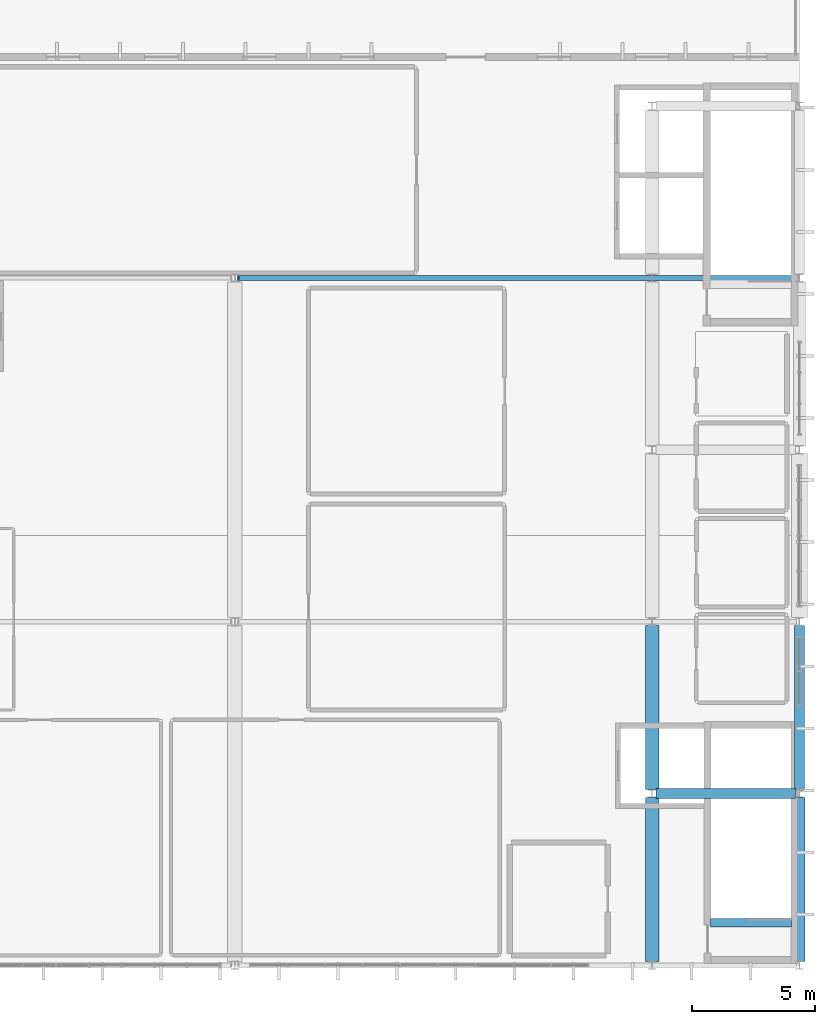
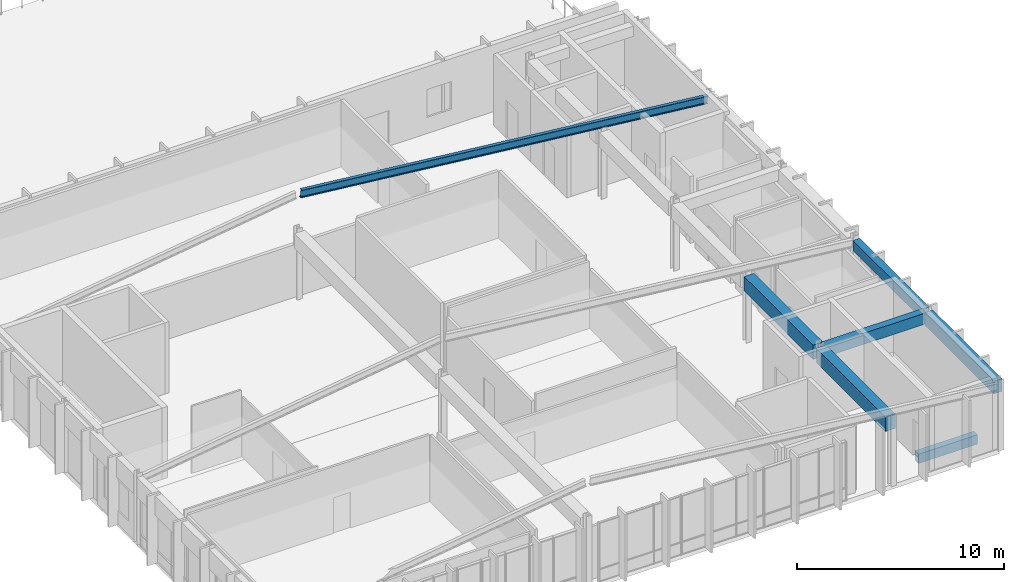
# One storey, part 8 of 16: 7 beams.
"""IFC4 building model written with IfcOpenShell, lengths in metres."""

import ifcopenshell
import ifcopenshell.guid

model = None  # the IFC model being written
_history = None  # IfcOwnerHistory: only IFC2X3 demands one
_inside = {}  # id of a spatial element -> (the spatial element, [elements in it])
_under = {}  # id of a project, library or spatial element -> (it, [spatial elements below it])
_declared = {}  # id of a project -> (the project, [libraries it declares])
_typed = {}  # id of a type object -> (the type object, [elements of that type])
_made_of = {}  # id of a material, layer set ... -> (it, [elements and type objects made of it])


def new_model(schema):
    """Start an empty IFC model of exactly this schema.

    Asked for "IFC4X3", IfcOpenShell would pick the latest addendum, in which some entities
    have other attributes; the version numbers below select the first issue.
    IFC2X3 requires an IfcOwnerHistory on every rooted entity: one is made here for all.
    """
    global model, _history
    if schema == "IFC4X3":
        model = ifcopenshell.file(schema_version=(4, 3, 0, 0))
    else:
        model = ifcopenshell.file(schema=schema)
    _inside.clear()
    _under.clear()
    _declared.clear()
    _typed.clear()
    _made_of.clear()
    _history = None
    if model.schema == "IFC2X3":
        org = make("IfcOrganization", Name="unknown")
        user = make(
            "IfcPersonAndOrganization",
            ThePerson=make("IfcPerson", FamilyName="unknown"),
            TheOrganization=org,
        )
        app = make(
            "IfcApplication",
            ApplicationDeveloper=org,
            Version="unknown",
            ApplicationFullName="unknown",
            ApplicationIdentifier="unknown",
        )
        _history = make(
            "IfcOwnerHistory",
            OwningUser=user,
            OwningApplication=app,
            ChangeAction="ADDED",
            CreationDate=0,
        )
    return model


def make(cls, **values):
    """One entity of the class cls with the attributes given. An attribute that is None is left unset."""
    return model.create_entity(
        cls, **{name: value for name, value in values.items() if value is not None}
    )


def rooted(cls, **values):
    """An entity with a GlobalId (a new one), such as an element, a storey or a relation."""
    return make(cls, GlobalId=ifcopenshell.guid.new(), OwnerHistory=_history, **values)


def si_unit(unit_type, name, prefix=None):
    """IfcSIUnit, for example si_unit("LENGTHUNIT", "METRE", prefix="MILLI")."""
    return make("IfcSIUnit", UnitType=unit_type, Prefix=prefix, Name=name)


def assignment(units):
    """IfcUnitAssignment: the units of a project."""
    return None if units is None else make("IfcUnitAssignment", Units=units)


def point(xyz):
    """IfcCartesianPoint."""
    return None if xyz is None else make("IfcCartesianPoint", Coordinates=xyz)


def direction(xyz):
    """IfcDirection."""
    return None if xyz is None else make("IfcDirection", DirectionRatios=xyz)


def frame(location, z_axis=None, x_axis=None):
    """IfcAxis2Placement3D, a coordinate frame: its origin and axes. An axis left out is left unset."""
    return make(
        "IfcAxis2Placement3D",
        Location=point(location),
        Axis=direction(z_axis),
        RefDirection=direction(x_axis),
    )


def frame_2d(location, x_axis=None):
    """IfcAxis2Placement2D, a coordinate frame in the plane: its origin and x axis."""
    return make(
        "IfcAxis2Placement2D", Location=point(location), RefDirection=direction(x_axis)
    )


def origin():
    """The frame at (0, 0, 0) with its axes left unset."""
    return frame((0.0, 0.0, 0.0))


def origin_2d():
    """The frame at (0, 0) in the plane with its x axis left unset."""
    return frame_2d((0.0, 0.0))


def place(relative_to, where):
    """IfcLocalPlacement: puts the frame where relative to a parent placement (None: the world)."""
    return make(
        "IfcLocalPlacement", PlacementRelTo=relative_to, RelativePlacement=where
    )


def context(
    kind, dimensions, precision=None, world=None, true_north=None, identifier=None
):
    """IfcGeometricRepresentationContext, for example the 3D "Model" context."""
    return make(
        "IfcGeometricRepresentationContext",
        ContextIdentifier=identifier,
        ContextType=kind,
        CoordinateSpaceDimension=dimensions,
        Precision=precision,
        WorldCoordinateSystem=world,
        TrueNorth=true_north,
    )


def subcontext(parent, identifier, kind, view, scale=None):
    """IfcGeometricRepresentationSubContext, for example "Body" below "Model"."""
    return make(
        "IfcGeometricRepresentationSubContext",
        ContextIdentifier=identifier,
        ContextType=kind,
        ParentContext=parent,
        TargetScale=scale,
        TargetView=view,
    )


def project(units=None, contexts=None):
    """IfcProject with its units and contexts."""
    return rooted(
        "IfcProject",
        Name="project",
        RepresentationContexts=contexts,
        UnitsInContext=assignment(units),
    )


def spatial(cls, under=None, at=None, **own):
    """A site, building, storey or space (cls), placed at a placement, below another one or the project."""
    s = rooted(cls, ObjectPlacement=at, **own)
    if under is not None:
        _under.setdefault(under.id(), (under, []))[1].append(s)
    return s


def profile(cls, at=None, kind="AREA", **sizes):
    """A parametric profile (cls). Its sizes go by their IFC names, for example OverallWidth=200.0."""
    return make(cls, ProfileType=kind, Position=at, **sizes)


def rectangle(**sizes):
    """IfcRectangleProfileDef."""
    return profile("IfcRectangleProfileDef", **sizes)


def i_section(**sizes):
    """IfcIShapeProfileDef."""
    return profile("IfcIShapeProfileDef", **sizes)


def extrude(swept, where, along, depth):
    """IfcExtrudedAreaSolid: the profile swept, set in the frame where, extruded along a direction by depth."""
    return make(
        "IfcExtrudedAreaSolid",
        SweptArea=swept,
        Position=where,
        ExtrudedDirection=direction(along),
        Depth=depth,
    )


def shape(context_of_items, identifier, shape_type, items):
    """IfcShapeRepresentation: the items that make up one representation, for example the "Body"."""
    return make(
        "IfcShapeRepresentation",
        ContextOfItems=context_of_items,
        RepresentationIdentifier=identifier,
        RepresentationType=shape_type,
        Items=items,
    )


def material(Name=None, Category=None):
    """IfcMaterial."""
    return make("IfcMaterial", Name=Name, Category=Category)


def material_profile(
    of_material, cross_section, Name=None, Category=None, Priority=None
):
    """IfcMaterialProfile: a cross section and its material."""
    return make(
        "IfcMaterialProfile",
        Name=Name,
        Material=of_material,
        Profile=cross_section,
        Priority=Priority,
        Category=Category,
    )


def profile_set(profiles, Name=None, composite=None):
    """IfcMaterialProfileSet."""
    return make(
        "IfcMaterialProfileSet",
        Name=Name,
        MaterialProfiles=profiles,
        CompositeProfile=composite,
    )


def made_of(thing, what):
    """Note that an element or type object is made of a material, layer set ...; save() writes the relation."""
    if what is not None:
        _made_of.setdefault(what.id(), (what, []))[1].append(thing)
    return thing


def type_object(cls, material=None, **own):
    """A type object (cls), such as IfcWallType, which elements share."""
    return made_of(rooted(cls, **own), material)


def element(
    cls,
    number,
    at=None,
    inside=None,
    cuts=None,
    type_object=None,
    material=None,
    context=None,
    identifier="Body",
    shape_type=None,
    held_by="IfcProductDefinitionShape",
    body=None,
    shapes=None,
    **own,
):
    """One element of the class cls, such as IfcWall. Its Tag is "e" and its number.

    at: its placement. inside: the storey or other place that contains it. cuts: it is an
    opening in that element (IfcRelVoidsElement). A single representation is given by context,
    identifier, shape_type and body (its items); several are given by shapes. held_by: the class
    of the entity that holds the representations. save() writes the other relations.
    """
    e = rooted(cls, Tag="e%d" % number, ObjectPlacement=at, **own)
    if body is not None:
        shapes = [shape(context, identifier, shape_type, body)]
    if shapes is not None:
        e.Representation = make(held_by, Representations=shapes)
    if inside is not None:
        _inside.setdefault(inside.id(), (inside, []))[1].append(e)
    if cuts is not None:
        rooted(
            "IfcRelVoidsElement", RelatingBuildingElement=cuts, RelatedOpeningElement=e
        )
    if type_object is not None:
        _typed.setdefault(type_object.id(), (type_object, []))[1].append(e)
    return made_of(e, material)


def aggregate(whole, parts):
    """IfcRelAggregates: a whole, such as a stair, and the parts it consists of."""
    return rooted("IfcRelAggregates", RelatingObject=whole, RelatedObjects=parts)


def save(model, path):
    """Write the relations noted so far, then the file.

    IfcRelAggregates (storeys below a building ...), IfcRelContainedInSpatialStructure (elements
    in a storey), IfcRelDefinesByType, IfcRelAssociatesMaterial and IfcRelDeclares: one each for
    every whole, place, type object, material and project.
    """
    for whole, parts in _under.values():
        aggregate(whole, parts)
    for where, things in _inside.values():
        rooted(
            "IfcRelContainedInSpatialStructure",
            RelatedElements=things,
            RelatingStructure=where,
        )
    for kind, things in _typed.values():
        rooted("IfcRelDefinesByType", RelatedObjects=things, RelatingType=kind)
    for what, things in _made_of.values():
        rooted("IfcRelAssociatesMaterial", RelatedObjects=things, RelatingMaterial=what)
    for by, libraries in _declared.values():
        rooted("IfcRelDeclares", RelatingContext=by, RelatedDefinitions=libraries)
    model.write(path)


model = new_model("IFC4")

# Units and contexts
model_context = context("Model", 3, precision=1e-05, world=origin(), true_north=direction((0.0, 1.0)))
body_context = subcontext(model_context, "Body", "Model", "MODEL_VIEW")
ifc_project = project(units=[si_unit("LENGTHUNIT", "METRE"), si_unit("AREAUNIT", "SQUARE_METRE"), si_unit("VOLUMEUNIT", "CUBIC_METRE"), si_unit("PLANEANGLEUNIT", "RADIAN"), si_unit("MASSUNIT", "GRAM", prefix="KILO")], contexts=[model_context])

# Site, building, storey
site_placement = place(None, origin())
site = spatial("IfcSite", under=ifc_project, at=site_placement, CompositionType="ELEMENT")
building_placement = place(site_placement, origin())
building = spatial("IfcBuilding", under=site, at=building_placement, Name="Larkveld Mobility Hub", CompositionType="ELEMENT")
storey_placement = place(building_placement, frame((0.0, 0.0, 22.800048828125)))
storey = spatial("IfcBuildingStorey", under=building, at=storey_placement, Name="L06", CompositionType="ELEMENT", Elevation=22.800048828125)

# Beams
ifc_material_1 = material(Name="Concrete C40/50", Category="concrete")
ifc_material_profile_1 = material_profile(ifc_material_1, rectangle(XDim=0.35009765625, YDim=0.550048828125, at=origin_2d()), Name="RC BM 350x550")
ifc_profile_set_1 = profile_set([ifc_material_profile_1], Name="Concrete C40/50")
beam_type_1 = type_object("IfcBeamType", Name="BM-RC3555", PredefinedType="BEAM", material=ifc_profile_set_1)
beam_1_placement = place(storey_placement, frame((148.3798828125, 29.739990234375, -0.27001953125), z_axis=(1.0, 0.0, 0.0), x_axis=(0.0, 1.0, 0.0)))
element("IfcBeam", 1, at=beam_1_placement, inside=storey, type_object=beam_type_1, Name="Core C1 Stair Header Beam L06", PredefinedType="BEAM", context=body_context, shape_type="SweptSolid", body=[
    extrude(rectangle(XDim=0.35009765625, YDim=0.550048828125, at=origin_2d()), origin(), (0.0, 0.0, 1.0), 3.2900390625),
])
ifc_material_profile_2 = material_profile(ifc_material_1, rectangle(XDim=0.39990234375, YDim=0.60009765625, at=origin_2d()), Name="RC BM 400x600")
ifc_profile_set_2 = profile_set([ifc_material_profile_2], Name="Concrete C40/50")
beam_type_2 = type_object("IfcBeamType", Name="BM-RC4060", PredefinedType="BEAM", material=ifc_profile_set_2)
beam_2_placement = place(storey_placement, frame((152.0, 35.159912109375, 3.679931640625), z_axis=(0.0, 1.0, 0.0), x_axis=(-1.0, 0.0, 0.0)))
element("IfcBeam", 2, at=beam_2_placement, inside=storey, type_object=beam_type_2, Name="Primary N-S Girder L06-1012", PredefinedType="BEAM", context=body_context, shape_type="SweptSolid", body=[
    extrude(rectangle(XDim=0.39990234375, YDim=0.60009765625, at=origin_2d()), origin(), (0.0, 0.0, 1.0), 6.68017578125),
])
ifc_material_profile_3 = material_profile(ifc_material_1, rectangle(XDim=0.39990234375, YDim=0.64990234375, at=origin_2d()), Name="RC BM 400x650")
ifc_profile_set_3 = profile_set([ifc_material_profile_3], Name="Concrete C40/50")
beam_type_3 = type_object("IfcBeamType", Name="BM-RC4065", PredefinedType="BEAM", material=ifc_profile_set_3)
beam_3_placement = place(storey_placement, frame((146.155029296875, 35.0, 3.655029296875), z_axis=(1.0, 0.0, 0.0), x_axis=(0.0, 1.0, 0.0)))
element("IfcBeam", 3, at=beam_3_placement, inside=storey, type_object=beam_type_3, Name="Primary E-W Girder L06-0990", PredefinedType="BEAM", context=body_context, shape_type="SweptSolid", body=[
    extrude(rectangle(XDim=0.39990234375, YDim=0.64990234375, at=origin_2d()), origin(), (0.0, 0.0, 1.0), 5.68994140625),
])
ifc_material_profile_4 = material_profile(ifc_material_1, rectangle(XDim=0.449951171875, YDim=0.75, at=origin_2d()), Name="RC BM 450x750")
ifc_profile_set_4 = profile_set([ifc_material_profile_4], Name="Concrete C40/50")
beam_type_4 = type_object("IfcBeamType", Name="BM-RC4575", PredefinedType="BEAM", material=ifc_profile_set_4)
beam_4_placement = place(storey_placement, frame((152.0, 28.159912109375, 3.60498046875), z_axis=(0.0, 1.0, 0.0), x_axis=(-1.0, 0.0, 0.0)))
element("IfcBeam", 4, at=beam_4_placement, inside=storey, type_object=beam_type_4, Name="Primary N-S Girder L06-1011", PredefinedType="BEAM", context=body_context, shape_type="SweptSolid", body=[
    extrude(rectangle(XDim=0.449951171875, YDim=0.75, at=origin_2d()), origin(), (0.0, 0.0, 1.0), 6.68017578125),
])
ifc_material_profile_5 = material_profile(ifc_material_1, rectangle(XDim=0.550048828125, YDim=0.85009765625, at=origin_2d()), Name="RC BM 550x850")
ifc_profile_set_5 = profile_set([ifc_material_profile_5], Name="Concrete C40/50")
beam_type_5 = type_object("IfcBeamType", Name="BM-RC5585", PredefinedType="BEAM", material=ifc_profile_set_5)
for number, where, z_axis, x_axis, name in (
    (5, (146.0, 28.159912109375, 3.554931640625), (0.0, 1.0, 0.0), (-1.0, 0.0, 0.0), "Primary N-S Girder L06-1006"),
    (6, (146.0, 35.159912109375, 3.554931640625), (0.0, 1.0, 0.0), (-1.0, 0.0, 0.0), "Primary N-S Girder L06-1007"),
):
    element("IfcBeam", number, at=place(storey_placement, frame(where, z_axis=z_axis, x_axis=x_axis)), inside=storey, type_object=beam_type_5, Name=name, PredefinedType="BEAM", context=body_context, shape_type="SweptSolid", body=[
        extrude(rectangle(XDim=0.550048828125, YDim=0.85009765625, at=origin_2d()), origin(), (0.0, 0.0, 1.0), 6.68017578125),
    ])
ifc_material_2 = material(Name="Steel S355JR", Category="steel")
ifc_material_profile_6 = material_profile(ifc_material_2, i_section(OverallWidth=0.18994140625, OverallDepth=0.449951171875, WebThickness=0.009521484375, FlangeThickness=0.0146484375, FilletRadius=0.02099609375, at=origin_2d()), Name="IPE 450")
ifc_profile_set_6 = profile_set([ifc_material_profile_6], Name="Steel S355JR")
beam_type_6 = type_object("IfcBeamType", Name="BM-STIPE450", PredefinedType="BEAM", material=ifc_profile_set_6)
beam_5_placement = place(storey_placement, frame((129.139892578125, 56.0, 6.114990234375), z_axis=(0.994557622154, 0.0, -0.104187984982), x_axis=(0.0, 1.0, 0.0)))
element("IfcBeam", 7, at=beam_5_placement, inside=storey, type_object=beam_type_6, Name="Sports Pavilion East Rafter L06-1749", PredefinedType="BEAM", context=body_context, shape_type="SweptSolid", body=[
    extrude(i_section(OverallWidth=0.18994140625, OverallDepth=0.449951171875, WebThickness=0.009521484375, FlangeThickness=0.0146484375, FilletRadius=0.02099609375, at=origin_2d()), origin(), (0.0, 0.0, 1.0), 22.844482421875),
])

save(model, "model.ifc")
